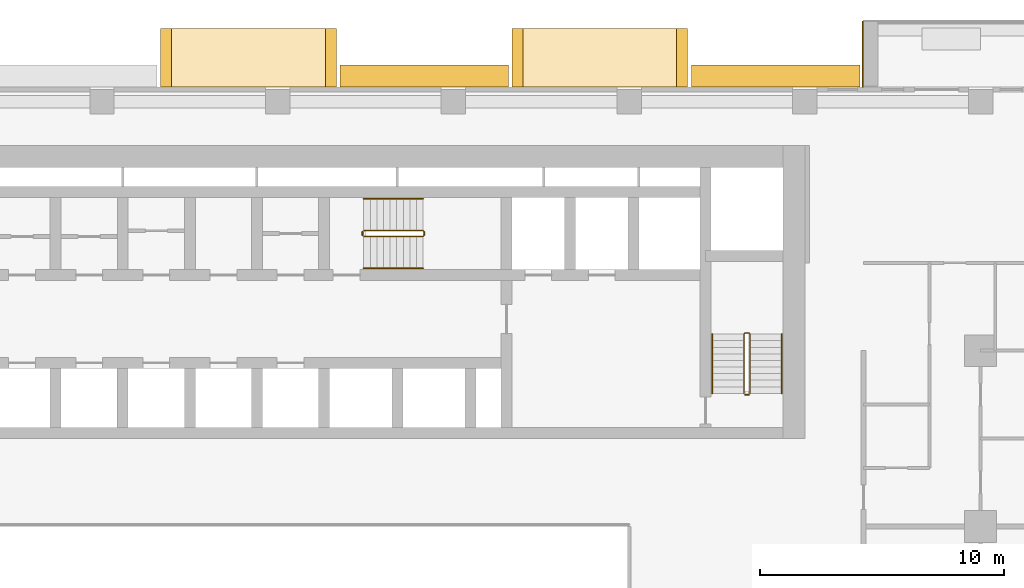
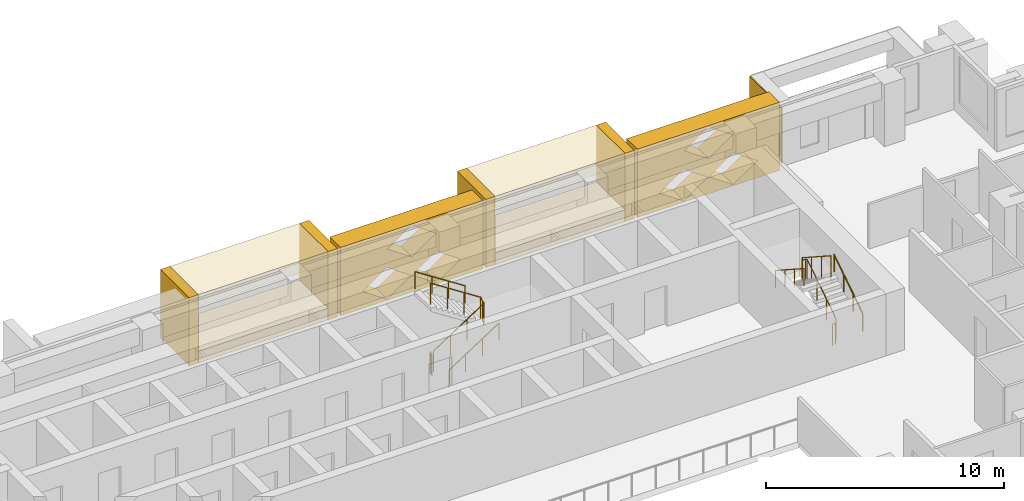
# One storey, part 16 of 17: 11 coverings, 8 railings.
"""IFC4 building model written with IfcOpenShell, lengths in metres."""

from ifc_helpers import new_model, si_unit, direction, frame, origin, origin_2d, place, context, subcontext, project, spatial, polyline, circle, outline, extrude, material, layer, layer_set, type_object, element, save


model = new_model("IFC4")

# Units and contexts
model_context = context("Model", 3, precision=1e-05, world=origin(), true_north=direction((0.0, 1.0)))
body_context = subcontext(model_context, "Body", "Model", "MODEL_VIEW")
ifc_project = project(units=[si_unit("LENGTHUNIT", "METRE"), si_unit("AREAUNIT", "SQUARE_METRE"), si_unit("VOLUMEUNIT", "CUBIC_METRE"), si_unit("PLANEANGLEUNIT", "RADIAN"), si_unit("MASSUNIT", "GRAM", prefix="KILO")], contexts=[model_context])

# Site, building, storey
site_placement = place(None, origin())
site = spatial("IfcSite", under=ifc_project, at=site_placement, CompositionType="ELEMENT")
building_placement = place(site_placement, origin())
building = spatial("IfcBuilding", under=site, at=building_placement, Name="Saffron Iwan Residences", CompositionType="ELEMENT")
storey_placement = place(building_placement, frame((0.0, 0.0, 62.0)))
storey = spatial("IfcBuildingStorey", under=building, at=storey_placement, Name="L15", CompositionType="ELEMENT", Elevation=62.0)

# Coverings
ifc_material_1 = material(Name="Precast concrete C40/50 white painted", Category="concrete")
ifc_layer = layer(ifc_material_1, 0.050048828125)
ifc_layer_set = layer_set([ifc_layer], Name="Precast concrete C40/50 white painted")
covering_type_1 = type_object("IfcCoveringType", Name="FRAME SKIN PRECAST WHITE 50", PredefinedType="CLADDING", material=ifc_layer_set)
covering_placement = place(storey_placement, origin())
element("IfcCovering", 1, at=covering_placement, inside=storey, type_object=covering_type_1, Name="Frame skin fin L15 F5-0b", PredefinedType="CLADDING", context=body_context, shape_type="SweptSolid", body=[
    extrude(outline(polyline([(74.39990234375, 83.10009765625), (74.35009765625, 83.10009765625), (74.35009765625, 80.39990234375), (74.39990234375, 80.39990234375), (74.39990234375, 83.10009765625)])), origin(), (0.0, 0.0, 1.0), 2.85009765625),
])
ifc_material_2 = material(Name="Precast concrete C40/50", Category="concrete")
covering_type_2 = type_object("IfcCoveringType", Name="OUTER SKIN LATTICE SCREEN", PredefinedType="CLADDING", material=ifc_material_2)
for number, where, z_axis, x_axis, name in (
    (2, (74.25, 80.39990234375, -0.320068359375), (0.0, 1.0, 0.0), (-1.0, 0.0, 0.0), "OUTER SKIN lattice screen L15 F5.1"),
    (3, (59.85009765625, 80.39990234375, -0.320068359375), (0.0, 1.0, 0.0), (-1.0, 0.0, 0.0), "OUTER SKIN lattice screen L15 F5.2"),
):
    element("IfcCovering", number, at=place(storey_placement, frame(where, z_axis=z_axis, x_axis=x_axis)), inside=storey, type_object=covering_type_2, Name=name, PredefinedType="CLADDING", context=body_context, shape_type="SweptSolid", body=[
        extrude(outline(polyline([(0.0, 0.0), (6.89990234375, 0.0), (6.89990234375, 3.5), (0.0, 3.5), (0.0, 0.0)]), holes=[polyline([(1.070068359375, 0.875), (2.25, 0.06005859375), (3.429931640625, 0.875), (2.25, 1.68994140625), (1.070068359375, 0.875)]), polyline([(3.469970703125, 0.875), (4.64990234375, 0.06005859375), (5.830078125, 0.875), (4.64990234375, 1.68994140625), (3.469970703125, 0.875)]), polyline([(2.27001953125, 2.625), (3.449951171875, 1.81005859375), (4.6298828125, 2.625), (3.449951171875, 3.43994140625), (2.27001953125, 2.625)])]), origin(), (0.0, 0.0, 1.0), 0.900146484375),
    ])

# Railings
ifc_material_3 = material(Name="Steel S355", Category="steel")
railing_type_1 = type_object("IfcRailingType", Name="Stair guard 1100", PredefinedType="GUARDRAIL", material=ifc_material_3)
railing_1_placement = place(storey_placement, frame((53.925048828125, 74.27490234375, 0.175048828125)))
element("IfcRailing", 4, at=railing_1_placement, inside=storey, type_object=railing_type_1, Name="L15 ST-C stair guard 1", PredefinedType="GUARDRAIL", context=body_context, shape_type="SweptSolid", body=[
    extrude(circle(Radius=0.02392578125, at=origin_2d()), frame((0.0, 0.0, 1.076171875), z_axis=(0.839153699163, 0.0, 0.543894354798), x_axis=(0.0, 1.0, 0.0)), (0.0, 0.0, 1.0), 2.895751953125),
    extrude(circle(Radius=0.02392578125, at=origin_2d()), frame((2.429931640625, 0.0, 2.65087890625), z_axis=(0.707106781187, 0.707106781187, 0.0), x_axis=(-0.707106781187, 0.707106781187, 0.0)), (0.0, 0.0, 1.0), 0.07080078125),
    extrude(circle(Radius=0.02392578125, at=origin_2d()), frame((2.47998046875, 0.050048828125, 2.65087890625), z_axis=(0.0, 1.0, 0.0), x_axis=(-1.0, 0.0, 0.0)), (0.0, 0.0, 1.0), 0.150146484375),
    extrude(circle(Radius=0.02392578125, at=origin_2d()), frame((2.47998046875, 0.2001953125, 2.65087890625), z_axis=(-0.265155923931, 0.263862480399, 0.927399011991), x_axis=(-0.705375805398, -0.708833529934, 0.0)), (0.0, 0.0, 1.0), 0.188720703125),
    extrude(circle(Radius=0.02392578125, at=origin_2d()), frame((2.429931640625, 0.25, 2.826171875), z_axis=(-0.839153699163, 0.0, 0.543894354798), x_axis=(0.0, -1.0, 0.0)), (0.0, 0.0, 1.0), 2.895751953125),
    extrude(circle(Radius=0.02099609375, at=origin_2d()), origin(), (0.0, 0.0, 1.0), 1.052001953125),
    extrude(circle(Radius=0.02099609375, at=origin_2d()), frame((0.81005859375, 0.0, 0.52490234375)), (0.0, 0.0, 1.0), 1.052001953125),
    extrude(circle(Radius=0.02099609375, at=origin_2d()), frame((1.619873046875, 0.0, 1.050048828125)), (0.0, 0.0, 1.0), 1.052001953125),
    extrude(circle(Radius=0.02099609375, at=origin_2d()), frame((2.429931640625, 0.0, 1.574951171875)), (0.0, 0.0, 1.0), 1.052001953125),
    extrude(circle(Radius=0.02099609375, at=origin_2d()), frame((2.47998046875, 0.050048828125, 1.574951171875)), (0.0, 0.0, 1.0), 1.052001953125),
    extrude(circle(Radius=0.02099609375, at=origin_2d()), frame((2.47998046875, 0.2001953125, 1.574951171875)), (0.0, 0.0, 1.0), 1.052001953125),
    extrude(circle(Radius=0.02099609375, at=origin_2d()), frame((2.429931640625, 0.25, 1.75)), (0.0, 0.0, 1.0), 1.052001953125),
    extrude(circle(Radius=0.02099609375, at=origin_2d()), frame((1.619873046875, 0.25, 2.27490234375)), (0.0, 0.0, 1.0), 1.052001953125),
    extrude(circle(Radius=0.02099609375, at=origin_2d()), frame((0.81005859375, 0.25, 2.800048828125)), (0.0, 0.0, 1.0), 1.052001953125),
    extrude(circle(Radius=0.02099609375, at=origin_2d()), frame((0.0, 0.25, 3.324951171875)), (0.0, 0.0, 1.0), 1.052001953125),
])
railing_2_placement = place(storey_placement, frame((53.875, 74.324951171875, 0.0)))
element("IfcRailing", 5, at=railing_2_placement, inside=storey, type_object=railing_type_1, Name="L15 ST-C stair guard 2", PredefinedType="GUARDRAIL", context=body_context, shape_type="SweptSolid", body=[
    extrude(circle(Radius=0.02392578125, at=origin_2d()), frame((0.0, 0.0, 1.076171875), z_axis=(0.0, 1.0, 0.0), x_axis=(-1.0, 0.0, 0.0)), (0.0, 0.0, 1.0), 0.150146484375),
    extrude(circle(Radius=0.02099609375, at=origin_2d()), origin(), (0.0, 0.0, 1.0), 1.052001953125),
    extrude(circle(Radius=0.02099609375, at=origin_2d()), frame((0.0, 0.150146484375, 0.0)), (0.0, 0.0, 1.0), 1.052001953125),
])
railing_3_placement = place(storey_placement, frame((69.75, 67.85009765625, 0.175048828125)))
element("IfcRailing", 6, at=railing_3_placement, inside=storey, type_object=railing_type_1, Name="L15 ST-E stair guard 1", PredefinedType="GUARDRAIL", context=body_context, shape_type="SweptSolid", body=[
    extrude(circle(Radius=0.02392578125, at=origin_2d()), frame((0.0, 0.0, 1.076171875), z_axis=(0.0, 0.839153699163, 0.543894354798), x_axis=(-1.0, 0.0, 0.0)), (0.0, 0.0, 1.0), 2.895751953125),
    extrude(circle(Radius=0.02392578125, at=origin_2d()), frame((0.0, 2.429931640625, 2.65087890625), z_axis=(-0.707106781187, 0.707106781187, 0.0), x_axis=(-0.707106781187, -0.707106781187, 0.0)), (0.0, 0.0, 1.0), 0.07080078125),
    extrude(circle(Radius=0.02392578125, at=origin_2d()), frame((-0.050048828125, 2.47998046875, 2.65087890625), z_axis=(-1.0, 0.0, 0.0), x_axis=(0.0, -1.0, 0.0)), (0.0, 0.0, 1.0), 0.14990234375),
    extrude(circle(Radius=0.02392578125, at=origin_2d()), frame((-0.199951171875, 2.47998046875, 2.65087890625), z_axis=(-0.265065253269, -0.265065253269, 0.927081885822), x_axis=(0.707106781187, -0.707106781187, 0.0)), (0.0, 0.0, 1.0), 0.188720703125),
    extrude(circle(Radius=0.02392578125, at=origin_2d()), frame((-0.25, 2.429931640625, 2.826171875), z_axis=(0.0, -0.839153699163, 0.543894354798), x_axis=(1.0, 0.0, 0.0)), (0.0, 0.0, 1.0), 2.895751953125),
    extrude(circle(Radius=0.02099609375, at=origin_2d()), origin(), (0.0, 0.0, 1.0), 1.052001953125),
    extrude(circle(Radius=0.02099609375, at=origin_2d()), frame((0.0, 0.81005859375, 0.52490234375)), (0.0, 0.0, 1.0), 1.052001953125),
    extrude(circle(Radius=0.02099609375, at=origin_2d()), frame((0.0, 1.619873046875, 1.050048828125)), (0.0, 0.0, 1.0), 1.052001953125),
    extrude(circle(Radius=0.02099609375, at=origin_2d()), frame((0.0, 2.429931640625, 1.574951171875)), (0.0, 0.0, 1.0), 1.052001953125),
    extrude(circle(Radius=0.02099609375, at=origin_2d()), frame((-0.050048828125, 2.47998046875, 1.574951171875)), (0.0, 0.0, 1.0), 1.052001953125),
    extrude(circle(Radius=0.02099609375, at=origin_2d()), frame((-0.199951171875, 2.47998046875, 1.574951171875)), (0.0, 0.0, 1.0), 1.052001953125),
    extrude(circle(Radius=0.02099609375, at=origin_2d()), frame((-0.25, 2.429931640625, 1.75)), (0.0, 0.0, 1.0), 1.052001953125),
    extrude(circle(Radius=0.02099609375, at=origin_2d()), frame((-0.25, 1.619873046875, 2.27490234375)), (0.0, 0.0, 1.0), 1.052001953125),
    extrude(circle(Radius=0.02099609375, at=origin_2d()), frame((-0.25, 0.81005859375, 2.800048828125)), (0.0, 0.0, 1.0), 1.052001953125),
    extrude(circle(Radius=0.02099609375, at=origin_2d()), frame((-0.25, 0.0, 3.324951171875)), (0.0, 0.0, 1.0), 1.052001953125),
])
railing_4_placement = place(storey_placement, frame((69.699951171875, 67.800048828125, 0.0)))
element("IfcRailing", 7, at=railing_4_placement, inside=storey, type_object=railing_type_1, Name="L15 ST-E stair guard 2", PredefinedType="GUARDRAIL", context=body_context, shape_type="SweptSolid", body=[
    extrude(circle(Radius=0.02392578125, at=origin_2d()), frame((0.0, 0.0, 1.076171875), z_axis=(-1.0, 0.0, 0.0), x_axis=(0.0, -1.0, 0.0)), (0.0, 0.0, 1.0), 0.14990234375),
    extrude(circle(Radius=0.02099609375, at=origin_2d()), origin(), (0.0, 0.0, 1.0), 1.052001953125),
    extrude(circle(Radius=0.02099609375, at=origin_2d()), frame((-0.14990234375, 0.0, 0.0)), (0.0, 0.0, 1.0), 1.052001953125),
])
ifc_material_4 = material(Name="Stainless steel 316", Category="steel")
railing_type_2 = type_object("IfcRailingType", Name="Stair handrail 900", PredefinedType="HANDRAIL", material=ifc_material_4)
railing_5_placement = place(storey_placement, frame((53.925048828125, 72.97509765625, 0.175048828125)))
element("IfcRailing", 8, at=railing_5_placement, inside=storey, type_object=railing_type_2, Name="L15 ST-C stair handrail 1", PredefinedType="HANDRAIL", context=body_context, shape_type="SweptSolid", body=[
    extrude(circle(Radius=0.02392578125, at=origin_2d()), frame((0.0, 0.0, 0.8759765625), z_axis=(0.839153699163, 0.0, 0.543894354798), x_axis=(0.0, 1.0, 0.0)), (0.0, 0.0, 1.0), 2.895751953125),
    extrude(circle(Radius=0.02099609375, at=origin_2d()), origin(), (0.0, 0.0, 1.0), 0.851806640625),
    extrude(circle(Radius=0.02099609375, at=origin_2d()), frame((0.81005859375, 0.0, 0.52490234375)), (0.0, 0.0, 1.0), 0.851806640625),
    extrude(circle(Radius=0.02099609375, at=origin_2d()), frame((1.619873046875, 0.0, 1.050048828125)), (0.0, 0.0, 1.0), 0.851806640625),
    extrude(circle(Radius=0.02099609375, at=origin_2d()), frame((2.429931640625, 0.0, 1.574951171875)), (0.0, 0.0, 1.0), 0.851806640625),
])
railing_6_placement = place(storey_placement, frame((56.35498046875, 75.824951171875, 1.925048828125)))
element("IfcRailing", 9, at=railing_6_placement, inside=storey, type_object=railing_type_2, Name="L15 ST-C stair handrail 2", PredefinedType="HANDRAIL", context=body_context, shape_type="SweptSolid", body=[
    extrude(circle(Radius=0.02392578125, at=origin_2d()), frame((0.0, 0.0, 0.8759765625), z_axis=(-0.839153699163, 0.0, 0.543894354798), x_axis=(0.0, -1.0, 0.0)), (0.0, 0.0, 1.0), 2.895751953125),
    extrude(circle(Radius=0.02099609375, at=origin_2d()), origin(), (0.0, 0.0, 1.0), 0.851806640625),
    extrude(circle(Radius=0.02099609375, at=origin_2d()), frame((-0.81005859375, 0.0, 0.52490234375)), (0.0, 0.0, 1.0), 0.851806640625),
    extrude(circle(Radius=0.02099609375, at=origin_2d()), frame((-1.619873046875, 0.0, 1.050048828125)), (0.0, 0.0, 1.0), 0.851806640625),
    extrude(circle(Radius=0.02099609375, at=origin_2d()), frame((-2.429931640625, 0.0, 1.574951171875)), (0.0, 0.0, 1.0), 0.851806640625),
])
railing_7_placement = place(storey_placement, frame((71.050048828125, 67.85009765625, 0.175048828125)))
element("IfcRailing", 10, at=railing_7_placement, inside=storey, type_object=railing_type_2, Name="L15 ST-E stair handrail 1", PredefinedType="HANDRAIL", context=body_context, shape_type="SweptSolid", body=[
    extrude(circle(Radius=0.02392578125, at=origin_2d()), frame((0.0, 0.0, 0.8759765625), z_axis=(0.0, 0.839153699163, 0.543894354798), x_axis=(-1.0, 0.0, 0.0)), (0.0, 0.0, 1.0), 2.895751953125),
    extrude(circle(Radius=0.02099609375, at=origin_2d()), origin(), (0.0, 0.0, 1.0), 0.851806640625),
    extrude(circle(Radius=0.02099609375, at=origin_2d()), frame((0.0, 0.81005859375, 0.52490234375)), (0.0, 0.0, 1.0), 0.851806640625),
    extrude(circle(Radius=0.02099609375, at=origin_2d()), frame((0.0, 1.619873046875, 1.050048828125)), (0.0, 0.0, 1.0), 0.851806640625),
    extrude(circle(Radius=0.02099609375, at=origin_2d()), frame((0.0, 2.429931640625, 1.574951171875)), (0.0, 0.0, 1.0), 0.851806640625),
])
railing_8_placement = place(storey_placement, frame((68.199951171875, 70.280029296875, 1.925048828125)))
element("IfcRailing", 11, at=railing_8_placement, inside=storey, type_object=railing_type_2, Name="L15 ST-E stair handrail 2", PredefinedType="HANDRAIL", context=body_context, shape_type="SweptSolid", body=[
    extrude(circle(Radius=0.02392578125, at=origin_2d()), frame((0.0, 0.0, 0.8759765625), z_axis=(0.0, -0.839153699163, 0.543894354798), x_axis=(1.0, 0.0, 0.0)), (0.0, 0.0, 1.0), 2.895751953125),
    extrude(circle(Radius=0.02099609375, at=origin_2d()), origin(), (0.0, 0.0, 1.0), 0.851806640625),
    extrude(circle(Radius=0.02099609375, at=origin_2d()), frame((0.0, -0.81005859375, 0.52490234375)), (0.0, 0.0, 1.0), 0.851806640625),
    extrude(circle(Radius=0.02099609375, at=origin_2d()), frame((0.0, -1.619873046875, 1.050048828125)), (0.0, 0.0, 1.0), 0.851806640625),
    extrude(circle(Radius=0.02099609375, at=origin_2d()), frame((0.0, -2.429931640625, 1.574951171875)), (0.0, 0.0, 1.0), 0.851806640625),
])

# Coverings
covering_type_3 = type_object("IfcCoveringType", Name="WHITE SUN FRAME PRECAST", PredefinedType="CLADDING", material=ifc_material_1)
for number, where, z_axis, x_axis, name in (
    (12, (67.199951171875, 80.39990234375, -0.320068359375), (0.0, 1.0, 0.0), (-1.0, 0.0, 0.0), "Sun frame L15 F5 15.6a"),
    (13, (60.449951171875, 80.39990234375, -0.320068359375), (0.0, 1.0, 0.0), (-1.0, 0.0, 0.0), "Sun frame L15 F5 15.6b"),
):
    element("IfcCovering", number, at=place(storey_placement, frame(where, z_axis=z_axis, x_axis=x_axis)), inside=storey, type_object=covering_type_3, Name=name, PredefinedType="CLADDING", context=body_context, shape_type="SweptSolid", body=[
        extrude(outline(polyline([(0.0, 0.0), (0.449951171875, 0.0), (0.449951171875, 3.5), (0.0, 3.5), (0.0, 0.0)])), origin(), (0.0, 0.0, 1.0), 2.400146484375),
    ])
for number, where, z_axis, x_axis, name in (
    (14, (66.75, 80.39990234375, 2.580078125), (0.0, 1.0, 0.0), (-1.0, 0.0, 0.0), "Sun frame L15 F5 15.6h"),
    (15, (66.75, 80.39990234375, -0.320068359375), (0.0, 1.0, 0.0), (-1.0, 0.0, 0.0), "Sun frame L15 F5 15.6s"),
):
    element("IfcCovering", number, at=place(storey_placement, frame(where, z_axis=z_axis, x_axis=x_axis)), inside=storey, type_object=covering_type_3, Name=name, PredefinedType="CLADDING", context=body_context, shape_type="SweptSolid", body=[
        extrude(outline(polyline([(0.0, 0.0), (6.300048828125, 0.0), (6.300048828125, 0.60009765625), (0.0, 0.60009765625), (0.0, 0.0)])), origin(), (0.0, 0.0, 1.0), 2.400146484375),
    ])
for number, where, z_axis, x_axis, name in (
    (16, (52.800048828125, 80.39990234375, -0.320068359375), (0.0, 1.0, 0.0), (-1.0, 0.0, 0.0), "Sun frame L15 F5 30.0a"),
    (17, (46.050048828125, 80.39990234375, -0.320068359375), (0.0, 1.0, 0.0), (-1.0, 0.0, 0.0), "Sun frame L15 F5 30.0b"),
):
    element("IfcCovering", number, at=place(storey_placement, frame(where, z_axis=z_axis, x_axis=x_axis)), inside=storey, type_object=covering_type_3, Name=name, PredefinedType="CLADDING", context=body_context, shape_type="SweptSolid", body=[
        extrude(outline(polyline([(0.0, 0.0), (0.449951171875, 0.0), (0.449951171875, 3.5), (0.0, 3.5), (0.0, 0.0)])), origin(), (0.0, 0.0, 1.0), 2.400146484375),
    ])
for number, where, z_axis, x_axis, name in (
    (18, (52.35009765625, 80.39990234375, 2.580078125), (0.0, 1.0, 0.0), (-1.0, 0.0, 0.0), "Sun frame L15 F5 30.0h"),
    (19, (52.35009765625, 80.39990234375, -0.320068359375), (0.0, 1.0, 0.0), (-1.0, 0.0, 0.0), "Sun frame L15 F5 30.0s"),
):
    element("IfcCovering", number, at=place(storey_placement, frame(where, z_axis=z_axis, x_axis=x_axis)), inside=storey, type_object=covering_type_3, Name=name, PredefinedType="CLADDING", context=body_context, shape_type="SweptSolid", body=[
        extrude(outline(polyline([(0.0, 0.0), (6.300048828125, 0.0), (6.300048828125, 0.60009765625), (0.0, 0.60009765625), (0.0, 0.0)])), origin(), (0.0, 0.0, 1.0), 2.400146484375),
    ])

save(model, "model.ifc")
